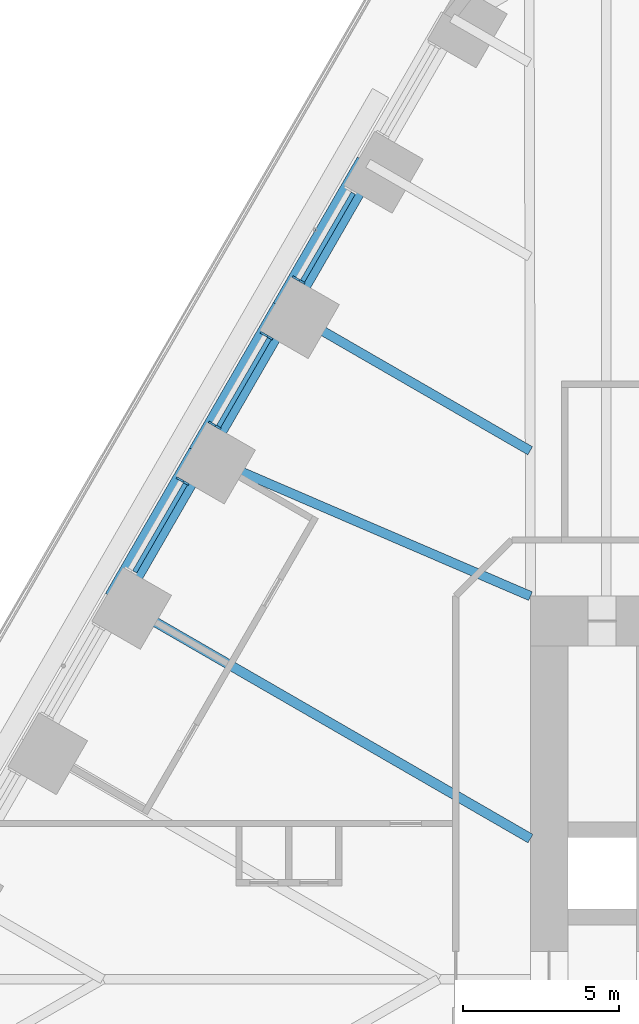
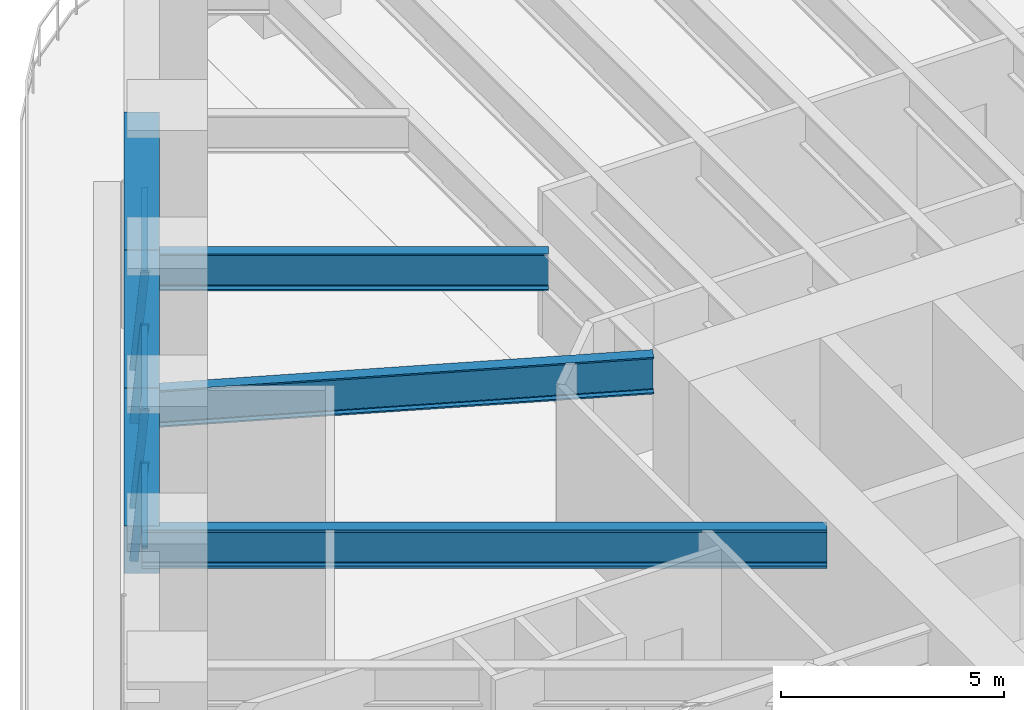
# One storey, part 8 of 23: 7 members, 6 beams, 3 elements without a shape of their own.
"""IFC4 building model written with IfcOpenShell, lengths in metres."""

from ifc_helpers import new_model, si_unit, direction, frame, origin, origin_2d, place, context, subcontext, project, spatial, rectangle, i_section, extrude, material, material_profile, profile_set, type_object, element, aggregate, save


model = new_model("IFC4")

# Units and contexts
model_context = context("Model", 3, precision=1e-05, world=origin(), true_north=direction((0.0, 1.0)))
body_context = subcontext(model_context, "Body", "Model", "MODEL_VIEW")
ifc_project = project(units=[si_unit("LENGTHUNIT", "METRE"), si_unit("AREAUNIT", "SQUARE_METRE"), si_unit("VOLUMEUNIT", "CUBIC_METRE"), si_unit("PLANEANGLEUNIT", "RADIAN"), si_unit("MASSUNIT", "GRAM", prefix="KILO")], contexts=[model_context])

# Site, building, storey
site_placement = place(None, origin())
site = spatial("IfcSite", under=ifc_project, at=site_placement, CompositionType="ELEMENT")
building_placement = place(site_placement, origin())
building = spatial("IfcBuilding", under=site, at=building_placement, Name="Tarfa Lantern Tower", CompositionType="ELEMENT")
storey_placement = place(building_placement, frame((0.0, 0.0, 48.699951171875)))
storey = spatial("IfcBuildingStorey", under=building, at=storey_placement, Name="L10", CompositionType="ELEMENT", Elevation=48.699951171875)

# Curtain wall, member
ifc_material_1 = material(Name="Aluminium framed curtain wall", Category="aluminium")
curtain_wall_type = type_object("IfcCurtainWallType", Name="CW1 CANTED GLAZING LOW ZONE 2700", PredefinedType="USERDEFINED", material=ifc_material_1)
curtain_wall_1_placement = place(storey_placement, origin())
curtain_wall_1 = element("IfcCurtainWall", 1, at=curtain_wall_1_placement, inside=storey, type_object=curtain_wall_type, Name="CW1 NW L10", ObjectType="CURTAIN WALL", PredefinedType="USERDEFINED")
ifc_material_2 = material(Name="Aluminium mullion", Category="aluminium")
ifc_material_profile_1 = material_profile(ifc_material_2, rectangle(XDim=0.06494140625, YDim=0.199951171875, at=origin_2d()), Name="AL MULLION 65x200")
ifc_profile_set_1 = profile_set([ifc_material_profile_1], Name="Aluminium mullion")
member_type_1 = type_object("IfcMemberType", Name="CWM1 MULLION 65x200", PredefinedType="MULLION", material=ifc_profile_set_1)
member_1_placement = place(storey_placement, frame((-26.147705078125, 22.5107421875, 0.0), z_axis=(0.07986442134, -0.046099868913, 0.99573916077), x_axis=(0.499919672301, 0.866071776036, 0.0)))
member_1 = element("IfcMember", 2, at=member_1_placement, type_object=member_type_1, Name="CW1 mullion 2", PredefinedType="MULLION", context=body_context, shape_type="SweptSolid", body=[
    extrude(rectangle(XDim=0.06494140625, YDim=0.199951171875, at=origin_2d()), origin(), (0.0, 0.0, 1.0), 2.71142578125),
])

# Curtain wall, members
curtain_wall_2_placement = place(storey_placement, origin())
curtain_wall_2 = element("IfcCurtainWall", 3, at=curtain_wall_2_placement, inside=storey, type_object=curtain_wall_type, Name="CW1 NW L10", ObjectType="CURTAIN WALL", PredefinedType="USERDEFINED")
member_2_placement = place(storey_placement, frame((-27.18017578125, 20.722412109375, 0.0), z_axis=(0.07986442134, -0.046099868913, 0.99573916077), x_axis=(0.499919672301, 0.866071776036, 0.0)))
member_2 = element("IfcMember", 4, at=member_2_placement, type_object=member_type_1, Name="CW1 mullion 1", PredefinedType="MULLION", context=body_context, shape_type="SweptSolid", body=[
    extrude(rectangle(XDim=0.06494140625, YDim=0.199951171875, at=origin_2d()), origin(), (0.0, 0.0, 1.0), 2.71142578125),
])
member_3_placement = place(storey_placement, frame((-28.842041015625, 17.84423828125, 0.0), z_axis=(0.07986442134, -0.046099868913, 0.99573916077), x_axis=(0.499919672301, 0.866071776036, 0.0)))
member_3 = element("IfcMember", 5, at=member_3_placement, type_object=member_type_1, Name="CW1 mullion 2", PredefinedType="MULLION", context=body_context, shape_type="SweptSolid", body=[
    extrude(rectangle(XDim=0.06494140625, YDim=0.199951171875, at=origin_2d()), origin(), (0.0, 0.0, 1.0), 2.71142578125),
])

# Curtain wall, member
curtain_wall_3_placement = place(storey_placement, origin())
curtain_wall_3 = element("IfcCurtainWall", 6, at=curtain_wall_3_placement, inside=storey, type_object=curtain_wall_type, Name="CW1 NW L10", ObjectType="CURTAIN WALL", PredefinedType="USERDEFINED")
member_4_placement = place(storey_placement, frame((-29.87451171875, 16.055908203125, 0.0), z_axis=(0.07986442134, -0.046099868913, 0.99573916077), x_axis=(0.499919672301, 0.866071776036, 0.0)))
member_4 = element("IfcMember", 7, at=member_4_placement, type_object=member_type_1, Name="CW1 mullion 1", PredefinedType="MULLION", context=body_context, shape_type="SweptSolid", body=[
    extrude(rectangle(XDim=0.06494140625, YDim=0.199951171875, at=origin_2d()), origin(), (0.0, 0.0, 1.0), 2.71142578125),
])

# Member
ifc_material_3 = material(Name="Aluminium transom", Category="aluminium")
ifc_material_profile_2 = material_profile(ifc_material_3, rectangle(XDim=0.14990234375, YDim=0.06494140625, at=origin_2d()), Name="AL TRANSOM 150x65")
ifc_profile_set_2 = profile_set([ifc_material_profile_2], Name="Aluminium transom")
member_type_2 = type_object("IfcMemberType", Name="CWT1 TRANSOM 150x65", PredefinedType="USERDEFINED", material=ifc_profile_set_2)
member_5_placement = place(storey_placement, frame((-24.288330078125, 25.237548828125, 2.66748046875), z_axis=(-0.499966746847, -0.86604460165, 0.0), x_axis=(0.86604460165, -0.499966746847, 0.0)))
member_5 = element("IfcMember", 8, at=member_5_placement, type_object=member_type_2, Name="CW1 transom 1.2", ObjectType="TRANSOM", PredefinedType="USERDEFINED", context=body_context, shape_type="SweptSolid", body=[
    extrude(rectangle(XDim=0.14990234375, YDim=0.06494140625, at=origin_2d()), origin(), (0.0, 0.0, 1.0), 3.258544921875),
])

aggregate(curtain_wall_1, [member_1, member_5])

member_6_placement = place(storey_placement, frame((-26.982666015625, 20.57080078125, 2.66748046875), z_axis=(-0.499966746847, -0.86604460165, 0.0), x_axis=(0.86604460165, -0.499966746847, 0.0)))
member_6 = element("IfcMember", 9, at=member_6_placement, type_object=member_type_2, Name="CW1 transom 1.2", ObjectType="TRANSOM", PredefinedType="USERDEFINED", context=body_context, shape_type="SweptSolid", body=[
    extrude(rectangle(XDim=0.14990234375, YDim=0.06494140625, at=origin_2d()), origin(), (0.0, 0.0, 1.0), 3.258544921875),
])

aggregate(curtain_wall_2, [member_2, member_3, member_6])

member_7_placement = place(storey_placement, frame((-29.6767578125, 15.904296875, 2.66748046875), z_axis=(-0.500022939057, -0.866012159509, 0.0), x_axis=(0.866012159509, -0.500022939057, 0.0)))
member_7 = element("IfcMember", 10, at=member_7_placement, type_object=member_type_2, Name="CW1 transom 1.2", ObjectType="TRANSOM", PredefinedType="USERDEFINED", context=body_context, shape_type="SweptSolid", body=[
    extrude(rectangle(XDim=0.14990234375, YDim=0.06494140625, at=origin_2d()), origin(), (0.0, 0.0, 1.0), 3.258544921875),
])

aggregate(curtain_wall_3, [member_4, member_7])

# Beams
ifc_material_4 = material(Name="Concrete C80/95", Category="concrete")
ifc_material_profile_3 = material_profile(ifc_material_4, rectangle(XDim=0.800048828125, YDim=1.300048828125, at=origin_2d()), Name="RC 800x1300")
ifc_profile_set_3 = profile_set([ifc_material_profile_3], Name="Concrete C80/95")
beam_type_1 = type_object("IfcBeamType", Name="EB1 RC 800x1300", PredefinedType="SPANDREL", material=ifc_profile_set_3)
beam_1_placement = place(storey_placement, frame((-23.813720703125, 26.193359375, 3.35009765625), z_axis=(-0.499998287579, -0.866026392449, 0.0), x_axis=(0.866026392449, -0.499998287579, 0.0)))
element("IfcBeam", 11, at=beam_1_placement, inside=storey, type_object=beam_type_1, Name="Edge beam NW1", PredefinedType="SPANDREL", context=body_context, shape_type="SweptSolid", body=[
    extrude(rectangle(XDim=0.800048828125, YDim=1.300048828125, at=origin_2d()), origin(), (0.0, 0.0, 1.0), 5.388671875),
])
beam_2_placement = place(storey_placement, frame((-26.508056640625, 21.526611328125, 3.35009765625), z_axis=(-0.500017906299, -0.866015065331, 0.0), x_axis=(0.866015065331, -0.500017906299, 0.0)))
element("IfcBeam", 12, at=beam_2_placement, inside=storey, type_object=beam_type_1, Name="Edge beam NW2", PredefinedType="SPANDREL", context=body_context, shape_type="SweptSolid", body=[
    extrude(rectangle(XDim=0.800048828125, YDim=1.300048828125, at=origin_2d()), origin(), (0.0, 0.0, 1.0), 5.388427734375),
])
beam_3_placement = place(storey_placement, frame((-29.202392578125, 16.860107421875, 3.35009765625), z_axis=(-0.499998287579, -0.866026392449, 0.0), x_axis=(0.866026392449, -0.499998287579, 0.0)))
element("IfcBeam", 13, at=beam_3_placement, inside=storey, type_object=beam_type_1, Name="Edge beam NW3", PredefinedType="SPANDREL", context=body_context, shape_type="SweptSolid", body=[
    extrude(rectangle(XDim=0.800048828125, YDim=1.300048828125, at=origin_2d()), origin(), (0.0, 0.0, 1.0), 5.388671875),
])
ifc_material_5 = material(Name="Steel S460M", Category="steel")
ifc_material_profile_4 = material_profile(ifc_material_5, i_section(OverallWidth=0.302001953125, OverallDepth=1.008056640625, WebThickness=0.02099609375, FlangeThickness=0.0400390625, FilletRadius=0.030029296875, at=origin_2d()), Name="UB1016x305x349")
ifc_profile_set_4 = profile_set([ifc_material_profile_4], Name="Steel S460M")
beam_type_2 = type_object("IfcBeamType", Name="UB1016x305x349", PredefinedType="BEAM", material=ifc_profile_set_4)
beam_4_placement = place(storey_placement, frame((-26.508056640625, 21.526611328125, 3.49609375), z_axis=(0.866035355799, -0.49998276221, 0.0), x_axis=(0.49998276221, 0.866035355799, 0.0)))
element("IfcBeam", 14, at=beam_4_placement, inside=storey, type_object=beam_type_2, Name="Floor beam NW2", PredefinedType="BEAM", context=body_context, shape_type="SweptSolid", body=[
    extrude(i_section(OverallWidth=0.302001953125, OverallDepth=1.008056640625, WebThickness=0.02099609375, FlangeThickness=0.0400390625, FilletRadius=0.030029296875, at=origin_2d()), origin(), (0.0, 0.0, 1.0), 9.119873046875),
])
beam_5_placement = place(storey_placement, frame((-29.202392578125, 16.860107421875, 3.49609375), z_axis=(0.918635483867, -0.395106122175, 0.0), x_axis=(0.395106122175, 0.918635483867, 0.0)))
element("IfcBeam", 15, at=beam_5_placement, inside=storey, type_object=beam_type_2, Name="Floor beam NW3", PredefinedType="BEAM", context=body_context, shape_type="SweptSolid", body=[
    extrude(i_section(OverallWidth=0.302001953125, OverallDepth=1.008056640625, WebThickness=0.02099609375, FlangeThickness=0.0400390625, FilletRadius=0.030029296875, at=origin_2d()), origin(), (0.0, 0.0, 1.0), 11.541259765625),
])
ifc_material_profile_5 = material_profile(ifc_material_5, i_section(OverallWidth=0.314208984375, OverallDepth=1.055908203125, WebThickness=0.035888671875, FlangeThickness=0.06396484375, FilletRadius=0.030029296875, at=origin_2d()), Name="UB1016x305x584")
ifc_profile_set_5 = profile_set([ifc_material_profile_5], Name="Steel S460M")
beam_type_3 = type_object("IfcBeamType", Name="UB1016x305x584", PredefinedType="BEAM", material=ifc_profile_set_5)
beam_6_placement = place(storey_placement, frame((-31.896728515625, 12.193359375, 3.47216796875), z_axis=(0.866026971665, -0.499997284341, 0.0), x_axis=(0.499997284341, 0.866026971665, 0.0)))
element("IfcBeam", 16, at=beam_6_placement, inside=storey, type_object=beam_type_3, Name="Floor beam NW4", PredefinedType="BEAM", context=body_context, shape_type="SweptSolid", body=[
    extrude(i_section(OverallWidth=0.314208984375, OverallDepth=1.055908203125, WebThickness=0.035888671875, FlangeThickness=0.06396484375, FilletRadius=0.030029296875, at=origin_2d()), origin(), (0.0, 0.0, 1.0), 15.353515625),
])

save(model, "model.ifc")
